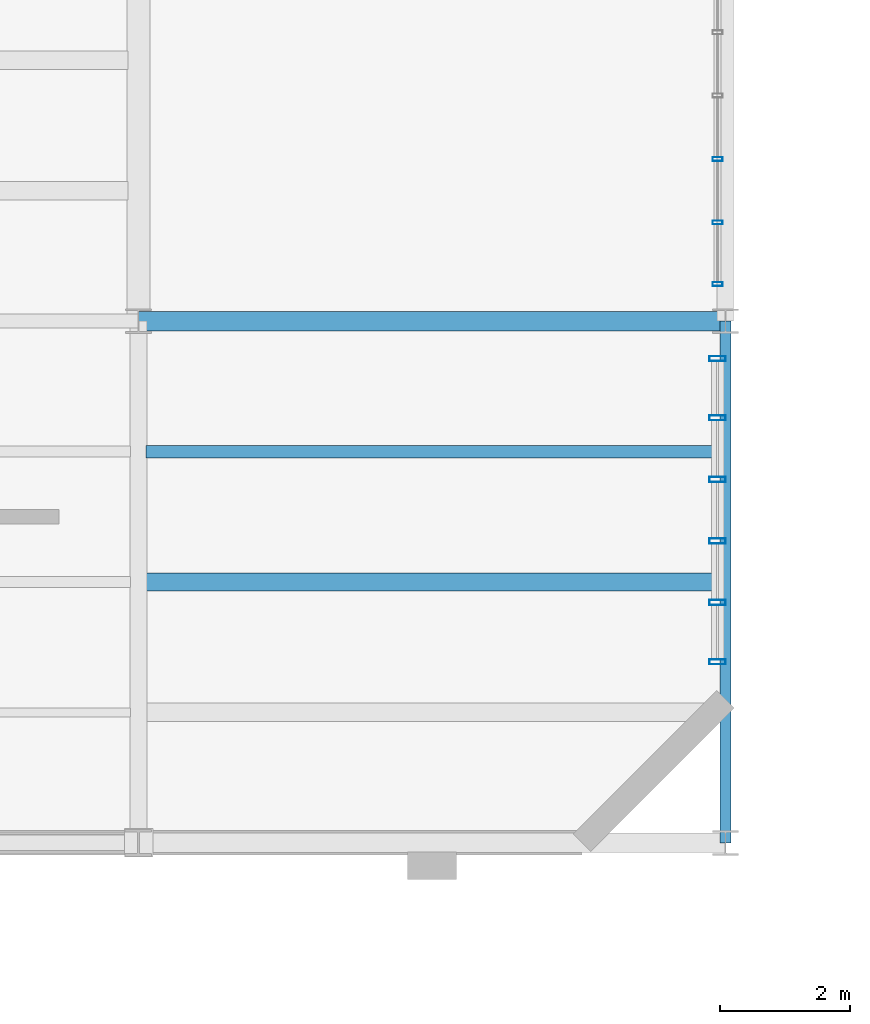
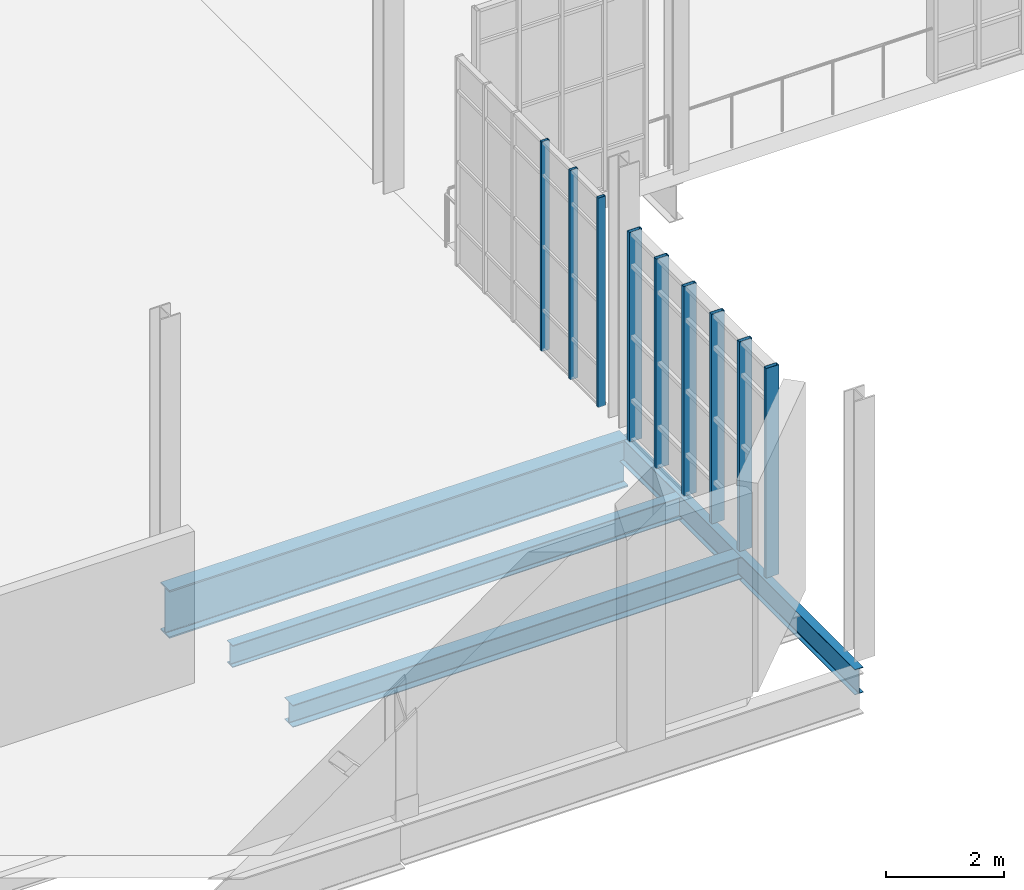
# One storey, part 21 of 189: 9 members, 4 beams, 2 elements without a shape of their own.
"""IFC4 building model written with IfcOpenShell, lengths in metres."""

from ifc_helpers import new_model, si_unit, direction, frame, origin, origin_2d, place, context, subcontext, project, spatial, hollow_rectangle, i_section, extrude, material, layer, layer_set, material_profile, profile_set, type_object, element, aggregate, save


model = new_model("IFC4")

# Units and contexts
model_context = context("Model", 3, precision=1e-05, world=origin(), true_north=direction((0.0, 1.0)))
body_context = subcontext(model_context, "Body", "Model", "MODEL_VIEW")
ifc_project = project(units=[si_unit("LENGTHUNIT", "METRE"), si_unit("AREAUNIT", "SQUARE_METRE"), si_unit("VOLUMEUNIT", "CUBIC_METRE"), si_unit("PLANEANGLEUNIT", "RADIAN"), si_unit("MASSUNIT", "GRAM", prefix="KILO"), si_unit("THERMODYNAMICTEMPERATUREUNIT", "KELVIN"), si_unit("POWERUNIT", "WATT")], contexts=[model_context])

# Site, building, storey
site_placement = place(None, origin())
site = spatial("IfcSite", under=ifc_project, at=site_placement, CompositionType="ELEMENT")
building_placement = place(site_placement, origin())
building = spatial("IfcBuilding", under=site, at=building_placement, Name="Zelmaris Science Centre", CompositionType="ELEMENT")
storey_placement = place(building_placement, origin())
storey = spatial("IfcBuildingStorey", under=building, at=storey_placement, Name="L00", CompositionType="ELEMENT", Elevation=0.0)

# Curtain wall, members
ifc_material_1 = material(Name="Anodised architectural aluminium 6063-T6", Category="aluminium")
ifc_layer_1 = layer(ifc_material_1, 0.219970703125, Name="Anodised architectural aluminium 6063-T6")
ifc_layer_set_1 = layer_set([ifc_layer_1], Name="Anodised architectural aluminium 6063-T6")
curtain_wall_type_1 = type_object("IfcCurtainWallType", Name="Curtain Wall CW-04", PredefinedType="USERDEFINED", material=ifc_layer_set_1)
curtain_wall_1_placement = place(storey_placement, origin())
curtain_wall_1 = element("IfcCurtainWall", 1, at=curtain_wall_1_placement, inside=storey, type_object=curtain_wall_type_1, Name="L00 Unitised curtain wall 124", ObjectType="GLAZED CURTAIN WALL", PredefinedType="USERDEFINED")
ifc_material_profile_1 = material_profile(ifc_material_1, hollow_rectangle(XDim=0.06005859375, YDim=0.14990234375, WallThickness=0.00341796875, at=origin_2d()), Name="ALU-MUL-60X150")
ifc_profile_set_1 = profile_set([ifc_material_profile_1], Name="Anodised architectural aluminium 6063-T6")
member_type_1 = type_object("IfcMemberType", Name="ALU-MUL-60X150", PredefinedType="MULLION", material=ifc_profile_set_1)
member_1_placement = place(storey_placement, frame((53.8798828125, 18.48388671875, -0.014892578125), z_axis=(0.0, 0.0, 1.0), x_axis=(-5.235988e-06, -0.999999999986, 0.0)))
member_1 = element("IfcMember", 2, at=member_1_placement, type_object=member_type_1, Name="CW-04 mullion 4", PredefinedType="MULLION", context=body_context, shape_type="SweptSolid", body=[
    extrude(hollow_rectangle(XDim=0.06005859375, YDim=0.14990234375, WallThickness=0.00341796875, at=origin_2d()), origin(), (0.0, 0.0, 1.0), 4.345947265625),
])
member_2_placement = place(storey_placement, frame((53.8798828125, 17.511962890625, -0.014892578125), z_axis=(0.0, 0.0, 1.0), x_axis=(-5.235988e-06, -0.999999999986, 0.0)))
member_2 = element("IfcMember", 3, at=member_2_placement, type_object=member_type_1, Name="CW-04 mullion 5", PredefinedType="MULLION", context=body_context, shape_type="SweptSolid", body=[
    extrude(hollow_rectangle(XDim=0.06005859375, YDim=0.14990234375, WallThickness=0.00341796875, at=origin_2d()), origin(), (0.0, 0.0, 1.0), 4.345947265625),
])
member_3_placement = place(storey_placement, frame((53.8798828125, 16.56591796875, -0.014892578125), z_axis=(0.0, 0.0, 1.0), x_axis=(-5.235988e-06, -0.999999999986, 0.0)))
member_3 = element("IfcMember", 4, at=member_3_placement, type_object=member_type_1, Name="CW-04 mullion 6", PredefinedType="MULLION", context=body_context, shape_type="SweptSolid", body=[
    extrude(hollow_rectangle(XDim=0.06005859375, YDim=0.14990234375, WallThickness=0.00341796875, at=origin_2d()), origin(), (0.0, 0.0, 1.0), 4.345947265625),
])
aggregate(curtain_wall_1, [member_1, member_2, member_3])

ifc_layer_2 = layer(ifc_material_1, 0.18994140625, Name="Anodised architectural aluminium 6063-T6")
ifc_layer_set_2 = layer_set([ifc_layer_2], Name="Anodised architectural aluminium 6063-T6")
curtain_wall_type_2 = type_object("IfcCurtainWallType", Name="Curtain Wall CW-01", PredefinedType="USERDEFINED", material=ifc_layer_set_2)
curtain_wall_2_placement = place(storey_placement, origin())
curtain_wall_2 = element("IfcCurtainWall", 5, at=curtain_wall_2_placement, inside=storey, type_object=curtain_wall_type_2, Name="L00 Unitised curtain wall 125", ObjectType="GLAZED CURTAIN WALL", PredefinedType="USERDEFINED")
ifc_material_profile_2 = material_profile(ifc_material_1, hollow_rectangle(XDim=0.080078125, YDim=0.25, WallThickness=0.0048828125, at=origin_2d()), Name="ALU-MUL-80X250")
ifc_profile_set_2 = profile_set([ifc_material_profile_2], Name="Anodised architectural aluminium 6063-T6")
member_type_2 = type_object("IfcMemberType", Name="ALU-MUL-80X250", PredefinedType="MULLION", material=ifc_profile_set_2)
member_4_placement = place(storey_placement, frame((53.8798828125, 15.424072265625, -0.014892578125), z_axis=(0.0, 0.0, 1.0), x_axis=(-5.235988e-06, -0.999999999986, 0.0)))
member_4 = element("IfcMember", 6, at=member_4_placement, type_object=member_type_2, Name="CW-01 mullion 1", PredefinedType="MULLION", context=body_context, shape_type="SweptSolid", body=[
    extrude(hollow_rectangle(XDim=0.080078125, YDim=0.25, WallThickness=0.0048828125, at=origin_2d()), origin(), (0.0, 0.0, 1.0), 4.345947265625),
])
member_5_placement = place(storey_placement, frame((53.8798828125, 14.51611328125, -0.014892578125), z_axis=(0.0, 0.0, 1.0), x_axis=(-5.235988e-06, -0.999999999986, 0.0)))
member_5 = element("IfcMember", 7, at=member_5_placement, type_object=member_type_2, Name="CW-01 mullion 2", PredefinedType="MULLION", context=body_context, shape_type="SweptSolid", body=[
    extrude(hollow_rectangle(XDim=0.080078125, YDim=0.25, WallThickness=0.0048828125, at=origin_2d()), origin(), (0.0, 0.0, 1.0), 4.345947265625),
])
member_6_placement = place(storey_placement, frame((53.8798828125, 13.572021484375, -0.014892578125), z_axis=(0.0, 0.0, 1.0), x_axis=(-5.235988e-06, -0.999999999986, 0.0)))
member_6 = element("IfcMember", 8, at=member_6_placement, type_object=member_type_2, Name="CW-01 mullion 3", PredefinedType="MULLION", context=body_context, shape_type="SweptSolid", body=[
    extrude(hollow_rectangle(XDim=0.080078125, YDim=0.25, WallThickness=0.0048828125, at=origin_2d()), origin(), (0.0, 0.0, 1.0), 4.345947265625),
])
member_7_placement = place(storey_placement, frame((53.8798828125, 12.6279296875, -0.014892578125), z_axis=(0.0, 0.0, 1.0), x_axis=(-5.235988e-06, -0.999999999986, 0.0)))
member_7 = element("IfcMember", 9, at=member_7_placement, type_object=member_type_2, Name="CW-01 mullion 4", PredefinedType="MULLION", context=body_context, shape_type="SweptSolid", body=[
    extrude(hollow_rectangle(XDim=0.080078125, YDim=0.25, WallThickness=0.0048828125, at=origin_2d()), origin(), (0.0, 0.0, 1.0), 4.345947265625),
])
member_8_placement = place(storey_placement, frame((53.8798828125, 11.68408203125, -0.014892578125), z_axis=(0.0, 0.0, 1.0), x_axis=(-5.235988e-06, -0.999999999986, 0.0)))
member_8 = element("IfcMember", 10, at=member_8_placement, type_object=member_type_2, Name="CW-01 mullion 5", PredefinedType="MULLION", context=body_context, shape_type="SweptSolid", body=[
    extrude(hollow_rectangle(XDim=0.080078125, YDim=0.25, WallThickness=0.0048828125, at=origin_2d()), origin(), (0.0, 0.0, 1.0), 4.345947265625),
])
member_9_placement = place(storey_placement, frame((53.8798828125, 10.77587890625, -0.014892578125), z_axis=(0.0, 0.0, 1.0), x_axis=(-5.235988e-06, -0.999999999986, 0.0)))
member_9 = element("IfcMember", 11, at=member_9_placement, type_object=member_type_2, Name="CW-01 mullion 6", PredefinedType="MULLION", context=body_context, shape_type="SweptSolid", body=[
    extrude(hollow_rectangle(XDim=0.080078125, YDim=0.25, WallThickness=0.0048828125, at=origin_2d()), origin(), (0.0, 0.0, 1.0), 4.345947265625),
])
aggregate(curtain_wall_2, [member_4, member_5, member_6, member_7, member_8, member_9])

# Beams
ifc_material_2 = material(Name="Steel ASTM A992 Grade 50", Category="steel")
ifc_material_profile_3 = material_profile(ifc_material_2, i_section(OverallWidth=0.300048828125, OverallDepth=0.990966796875, WebThickness=0.0166015625, FlangeThickness=0.030517578125, FilletRadius=0.02490234375, at=origin_2d()), Name="W40X183")
ifc_profile_set_3 = profile_set([ifc_material_profile_3], Name="Steel ASTM A992 Grade 50")
beam_type_1 = type_object("IfcBeamType", Name="Beam G-24 W40X183", PredefinedType="BEAM", material=ifc_profile_set_3)
beam_1_placement = place(storey_placement, frame((45.0, 16.0, -0.805419921875), z_axis=(1.0, 0.0, 0.0), x_axis=(0.0, 1.0, 0.0)))
element("IfcBeam", 12, at=beam_1_placement, inside=storey, type_object=beam_type_1, Name="L00 East-west girder 106", PredefinedType="BEAM", context=body_context, shape_type="SweptSolid", body=[
    extrude(i_section(OverallWidth=0.300048828125, OverallDepth=0.990966796875, WebThickness=0.0166015625, FlangeThickness=0.030517578125, FilletRadius=0.02490234375, at=origin_2d()), origin(), (0.0, 0.0, 1.0), 9.0),
])
ifc_material_profile_4 = material_profile(ifc_material_2, i_section(OverallWidth=0.1650390625, OverallDepth=0.52587890625, WebThickness=0.0087890625, FlangeThickness=0.011474609375, FilletRadius=0.013916015625, at=origin_2d()), Name="W21X44")
ifc_profile_set_4 = profile_set([ifc_material_profile_4], Name="Steel ASTM A992 Grade 50")
beam_type_2 = type_object("IfcBeamType", Name="Beam G-40 W21X44", PredefinedType="BEAM", material=ifc_profile_set_4)
beam_2_placement = place(storey_placement, frame((54.0, 8.0, -0.572998046875), z_axis=(0.0, 1.0, 0.0), x_axis=(-1.0, 0.0, 0.0)))
element("IfcBeam", 13, at=beam_2_placement, inside=storey, type_object=beam_type_2, Name="L00 North-south girder 29", PredefinedType="BEAM", context=body_context, shape_type="SweptSolid", body=[
    extrude(i_section(OverallWidth=0.1650390625, OverallDepth=0.52587890625, WebThickness=0.0087890625, FlangeThickness=0.011474609375, FilletRadius=0.013916015625, at=origin_2d()), origin(), (0.0, 0.0, 1.0), 8.0),
])
ifc_material_profile_5 = material_profile(ifc_material_2, i_section(OverallWidth=0.279052734375, OverallDepth=0.4619140625, WebThickness=0.0107421875, FlangeThickness=0.017333984375, FilletRadius=0.012939453125, at=origin_2d()), Name="W18X76")
ifc_profile_set_5 = profile_set([ifc_material_profile_5], Name="Steel ASTM A992 Grade 50")
beam_type_3 = type_object("IfcBeamType", Name="Beam J-03 W18X76", PredefinedType="JOIST", material=ifc_profile_set_5)
beam_3_placement = place(storey_placement, frame((45.118408203125, 12.0, -0.541015625), z_axis=(1.0, 0.0, 0.0), x_axis=(0.0, 1.0, 0.0)))
element("IfcBeam", 14, at=beam_3_placement, inside=storey, type_object=beam_type_3, Name="L00 Composite floor joist 38", PredefinedType="JOIST", context=body_context, shape_type="SweptSolid", body=[
    extrude(i_section(OverallWidth=0.279052734375, OverallDepth=0.4619140625, WebThickness=0.0107421875, FlangeThickness=0.017333984375, FilletRadius=0.012939453125, at=origin_2d()), origin(), (0.0, 0.0, 1.0), 8.814208984375),
])
ifc_material_profile_6 = material_profile(ifc_material_2, i_section(OverallWidth=0.19091796875, OverallDepth=0.4599609375, WebThickness=0.010009765625, FlangeThickness=0.01611328125, FilletRadius=0.012939453125, at=origin_2d()), Name="W18X55")
ifc_profile_set_6 = profile_set([ifc_material_profile_6], Name="Steel ASTM A992 Grade 50")
beam_type_4 = type_object("IfcBeamType", Name="Beam J-04 W18X55", PredefinedType="JOIST", material=ifc_profile_set_6)
beam_4_placement = place(storey_placement, frame((45.118408203125, 14.0, -0.5400390625), z_axis=(1.0, 0.0, 0.0), x_axis=(0.0, 1.0, 0.0)))
element("IfcBeam", 15, at=beam_4_placement, inside=storey, type_object=beam_type_4, Name="L00 Composite floor joist 39", PredefinedType="JOIST", context=body_context, shape_type="SweptSolid", body=[
    extrude(i_section(OverallWidth=0.19091796875, OverallDepth=0.4599609375, WebThickness=0.010009765625, FlangeThickness=0.01611328125, FilletRadius=0.012939453125, at=origin_2d()), origin(), (0.0, 0.0, 1.0), 8.814208984375),
])

save(model, "model.ifc")
